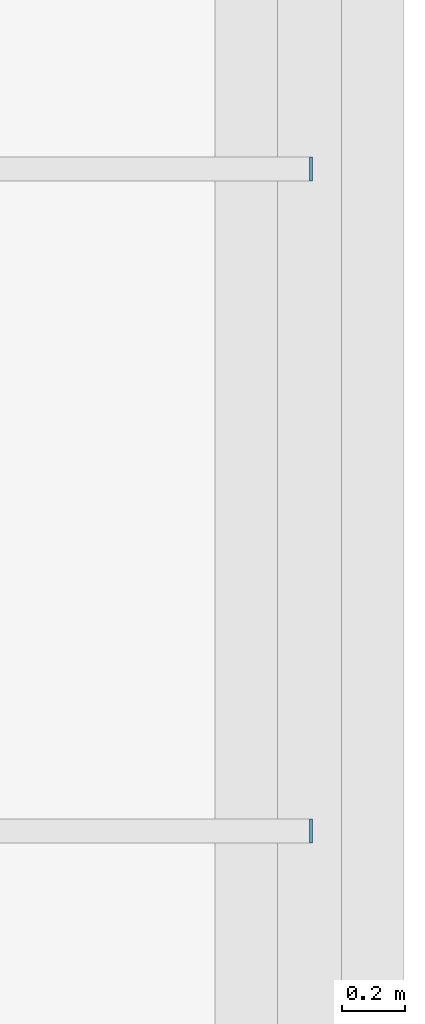
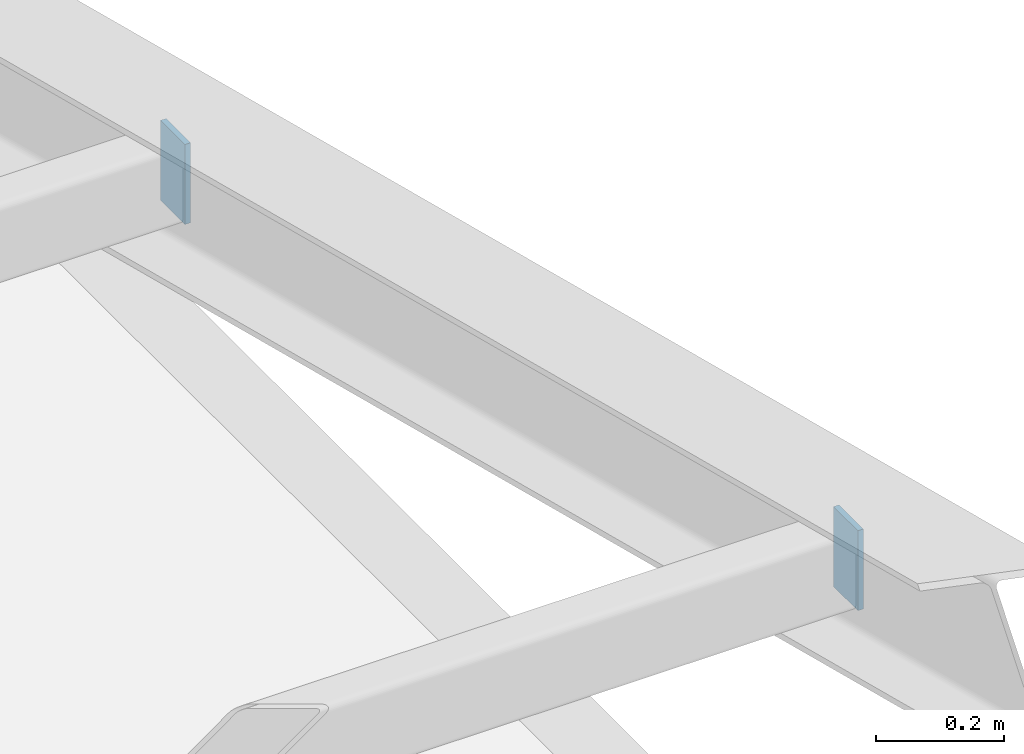
# One storey, part 14 of 17: 2 plates.
"""IFC4 building model written with IfcOpenShell, lengths in metres."""

from ifc_helpers import new_model, si_unit, derived_unit, direction, frame, origin, origin_2d, place, context, subcontext, project, spatial, rectangle, extrude, material, layer, layer_set, type_object, element, save


model = new_model("IFC4")

# Units and contexts
model_context = context("Model", 3, precision=1e-05, world=origin(), true_north=direction((0.0, 1.0)))
body_context = subcontext(model_context, "Body", "Model", "MODEL_VIEW")
ifc_project = project(units=[si_unit("LENGTHUNIT", "METRE"), si_unit("AREAUNIT", "SQUARE_METRE"), si_unit("VOLUMEUNIT", "CUBIC_METRE"), si_unit("PLANEANGLEUNIT", "RADIAN"), si_unit("MASSUNIT", "GRAM", prefix="KILO"), derived_unit("THERMALTRANSMITTANCEUNIT", [(si_unit("POWERUNIT", "WATT"), 1), (si_unit("LENGTHUNIT", "METRE"), -2), (si_unit("THERMODYNAMICTEMPERATUREUNIT", "KELVIN"), -1)])], contexts=[model_context])

# Site, building, storey
site_placement = place(None, origin())
site = spatial("IfcSite", under=ifc_project, at=site_placement, CompositionType="ELEMENT")
building_placement = place(site_placement, origin())
building = spatial("IfcBuilding", under=site, at=building_placement, Name="Barrovel Congress Hotel", CompositionType="ELEMENT")
storey_placement = place(building_placement, frame((0.0, 0.0, 47.10009765625)))
storey = spatial("IfcBuildingStorey", under=building, at=storey_placement, Name="RF", CompositionType="ELEMENT", Elevation=47.10009765625)

# Plates
ifc_material = material(Name="Steel ASTM A992 Grade 50", Category="steel")
ifc_layer = layer(ifc_material, 0.010009765625)
ifc_layer_set = layer_set([ifc_layer], Name="Steel ASTM A992 Grade 50")
plate_type = type_object("IfcPlateType", Name="EC-10", PredefinedType="SHEET", material=ifc_layer_set)
for number, where, z_axis, x_axis, name in (
    (1, (109.205078125, 16.800048828125, 0.84912109375), (0.0, 0.0, 1.0), (1.0, 0.0, 0.0), "End Cap Plate RF-PUR:16.8:100.8 end"),
    (2, (109.205078125, 18.89990234375, 0.3115234375), (0.0, 0.0, 1.0), (1.0, 0.0, 0.0), "End Cap Plate RF-PUR:18.9:100.8 end"),
):
    element("IfcPlate", number, at=place(storey_placement, frame(where, z_axis=z_axis, x_axis=x_axis)), inside=storey, type_object=plate_type, Name=name, PredefinedType="SHEET", context=body_context, shape_type="SweptSolid", body=[
        extrude(rectangle(XDim=0.010009765625, YDim=0.076171875, at=origin_2d()), origin(), (0.0, 0.0, 1.0), 0.15234375),
    ])

save(model, "model.ifc")
